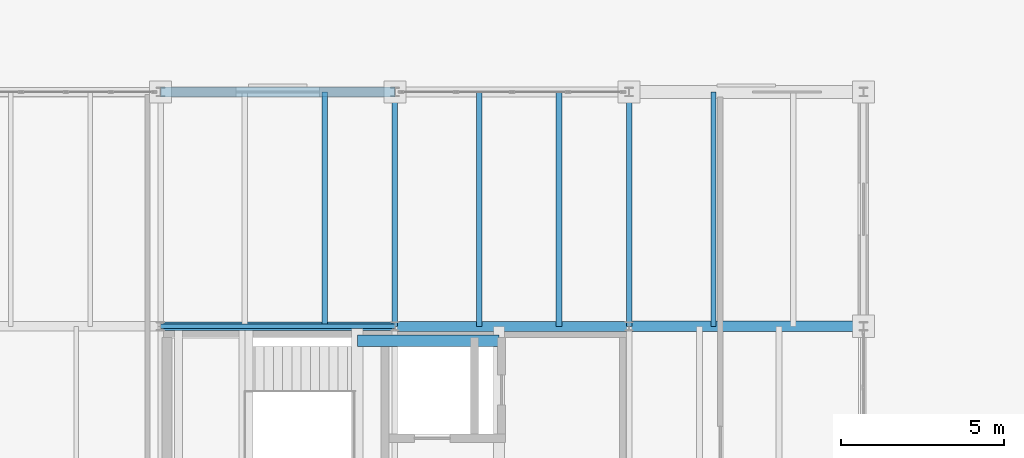
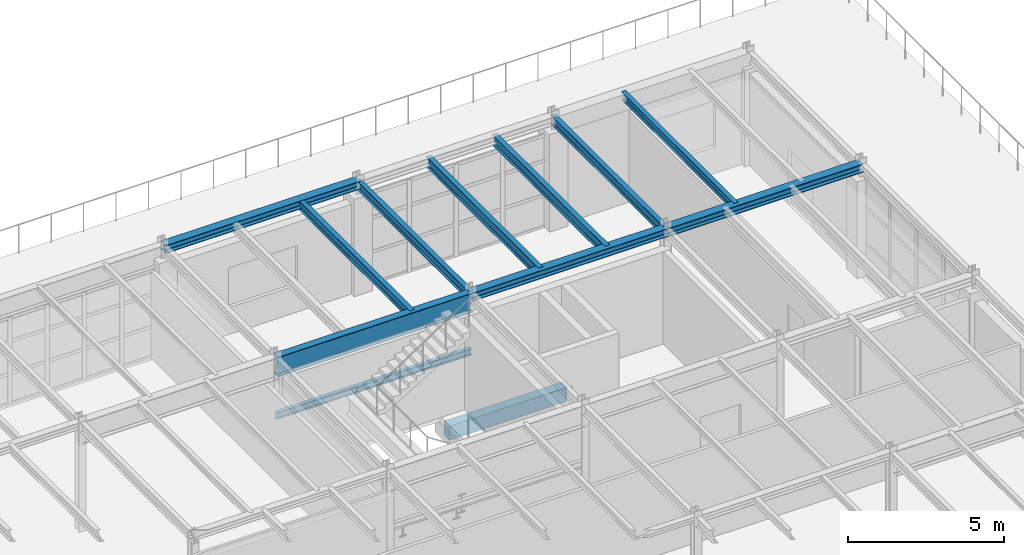
# One storey, part 75 of 101: 12 beams.
"""IFC4 building model written with IfcOpenShell, lengths in metres."""

from ifc_helpers import new_model, si_unit, direction, frame, origin, origin_2d, place, context, subcontext, project, spatial, rectangle, i_section, extrude, material, material_profile, profile_set, type_object, element, save


model = new_model("IFC4")

# Units and contexts
model_context = context("Model", 3, precision=1e-05, world=origin(), true_north=direction((0.0, 1.0)))
body_context = subcontext(model_context, "Body", "Model", "MODEL_VIEW")
ifc_project = project(units=[si_unit("LENGTHUNIT", "METRE"), si_unit("AREAUNIT", "SQUARE_METRE"), si_unit("VOLUMEUNIT", "CUBIC_METRE"), si_unit("PLANEANGLEUNIT", "RADIAN"), si_unit("MASSUNIT", "GRAM", prefix="KILO")], contexts=[model_context])

# Site, building, storey
site_placement = place(None, origin())
site = spatial("IfcSite", under=ifc_project, at=site_placement, CompositionType="ELEMENT")
building_placement = place(site_placement, origin())
building = spatial("IfcBuilding", under=site, at=building_placement, Name="Kemerveld Promenade Tramway Depot", CompositionType="ELEMENT")
storey_placement = place(building_placement, frame((0.0, 0.0, 9.89990234375)))
storey = spatial("IfcBuildingStorey", under=building, at=storey_placement, Name="L02", CompositionType="ELEMENT", Elevation=9.89990234375)

# Beams
ifc_material_1 = material(Name="Steel S355", Category="steel")
ifc_material_profile_1 = material_profile(ifc_material_1, i_section(OverallWidth=0.2666015625, OverallDepth=0.76220703125, WebThickness=0.014404296875, FlangeThickness=0.021484375, FilletRadius=0.0166015625, at=origin_2d()), Name="762x267x173 UB")
ifc_profile_set_1 = profile_set([ifc_material_profile_1], Name="Steel S355")
beam_type_1 = type_object("IfcBeamType", Name="BM-G02", PredefinedType="BEAM", material=ifc_profile_set_1)
beam_1_placement = place(storey_placement, frame((28.800048828125, 64.800048828125, 3.89892578125), z_axis=(1.0, 0.0, 0.0), x_axis=(0.0, 1.0, 0.0)))
element("IfcBeam", 1, at=beam_1_placement, inside=storey, type_object=beam_type_1, Name="BMX-L02-05-06-K", PredefinedType="BEAM", context=body_context, shape_type="SweptSolid", body=[
    extrude(i_section(OverallWidth=0.2666015625, OverallDepth=0.76220703125, WebThickness=0.014404296875, FlangeThickness=0.021484375, FilletRadius=0.0166015625, at=origin_2d()), origin(), (0.0, 0.0, 1.0), 7.199951171875),
])
ifc_material_profile_2 = material_profile(ifc_material_1, i_section(OverallWidth=0.172119140625, OverallDepth=0.35791015625, WebThickness=0.008056640625, FlangeThickness=0.012939453125, FilletRadius=0.01025390625, at=origin_2d()), Name="356x171x57 UB")
ifc_profile_set_2 = profile_set([ifc_material_profile_2], Name="Steel S355")
beam_type_2 = type_object("IfcBeamType", Name="BM-G08", PredefinedType="BEAM", material=ifc_profile_set_2)
for number, where, z_axis, x_axis, name in (
    (2, (36.0, 64.800048828125, 4.10107421875), (0.0, 1.0, 0.0), (-1.0, 0.0, 0.0), "BMY-L02-06-K-L"),
    (3, (43.199951171875, 64.800048828125, 4.10107421875), (0.0, 1.0, 0.0), (-1.0, 0.0, 0.0), "BMY-L02-07-K-L"),
):
    element("IfcBeam", number, at=place(storey_placement, frame(where, z_axis=z_axis, x_axis=x_axis)), inside=storey, type_object=beam_type_2, Name=name, PredefinedType="BEAM", context=body_context, shape_type="SweptSolid", body=[
        extrude(i_section(OverallWidth=0.172119140625, OverallDepth=0.35791015625, WebThickness=0.008056640625, FlangeThickness=0.012939453125, FilletRadius=0.01025390625, at=origin_2d()), origin(), (0.0, 0.0, 1.0), 7.199951171875),
    ])
ifc_material_profile_3 = material_profile(ifc_material_1, i_section(OverallWidth=0.307373046875, OverallDepth=0.314453125, WebThickness=0.011962890625, FlangeThickness=0.018798828125, FilletRadius=0.01513671875, at=origin_2d()), Name="305x305x118 UC")
ifc_profile_set_3 = profile_set([ifc_material_profile_3], Name="Steel S355")
beam_type_3 = type_object("IfcBeamType", Name="BM-G12", PredefinedType="BEAM", material=ifc_profile_set_3)
for number, where, z_axis, x_axis, name in (
    (4, (36.0, 64.800048828125, 4.122802734375), (1.0, 0.0, 0.0), (0.0, 1.0, 0.0), "BMX-L02-06-07-K"),
    (5, (28.800048828125, 72.0, 4.1279296875), (1.0, 0.0, 0.0), (0.0, 1.0, 0.0), "BMX-L02-05-06-L"),
):
    element("IfcBeam", number, at=place(storey_placement, frame(where, z_axis=z_axis, x_axis=x_axis)), inside=storey, type_object=beam_type_3, Name=name, PredefinedType="BEAM", context=body_context, shape_type="SweptSolid", body=[
        extrude(i_section(OverallWidth=0.307373046875, OverallDepth=0.314453125, WebThickness=0.011962890625, FlangeThickness=0.018798828125, FilletRadius=0.01513671875, at=origin_2d()), origin(), (0.0, 0.0, 1.0), 7.199951171875),
    ])
ifc_material_profile_4 = material_profile(ifc_material_1, i_section(OverallWidth=0.311279296875, OverallDepth=0.3271484375, WebThickness=0.015869140625, FlangeThickness=0.02490234375, FilletRadius=0.01513671875, at=origin_2d()), Name="305x305x158 UC")
ifc_profile_set_4 = profile_set([ifc_material_profile_4], Name="Steel S355")
beam_type_4 = type_object("IfcBeamType", Name="BM-G13", PredefinedType="BEAM", material=ifc_profile_set_4)
beam_2_placement = place(storey_placement, frame((43.199951171875, 64.800048828125, 4.116455078125), z_axis=(1.0, 0.0, 0.0), x_axis=(0.0, 1.0, 0.0)))
element("IfcBeam", 6, at=beam_2_placement, inside=storey, type_object=beam_type_4, Name="BMX-L02-07-08-K", PredefinedType="BEAM", context=body_context, shape_type="SweptSolid", body=[
    extrude(i_section(OverallWidth=0.311279296875, OverallDepth=0.3271484375, WebThickness=0.015869140625, FlangeThickness=0.02490234375, FilletRadius=0.01513671875, at=origin_2d()), origin(), (0.0, 0.0, 1.0), 7.199951171875),
])
ifc_material_profile_5 = material_profile(ifc_material_1, i_section(OverallWidth=0.165771484375, OverallDepth=0.306640625, WebThickness=0.006591796875, FlangeThickness=0.01171875, FilletRadius=0.0087890625, at=origin_2d()), Name="305x165x46 UB")
ifc_profile_set_5 = profile_set([ifc_material_profile_5], Name="Steel S355")
beam_type_5 = type_object("IfcBeamType", Name="BM-J01", PredefinedType="JOIST", material=ifc_profile_set_5)
beam_3_placement = place(storey_placement, frame((45.7919921875, 64.800048828125, 4.1318359375), z_axis=(0.0, 1.0, 0.0), x_axis=(-1.0, 0.0, 0.0)))
element("IfcBeam", 7, at=beam_3_placement, inside=storey, type_object=beam_type_5, Name="JST-L02-07-K-1", PredefinedType="JOIST", context=body_context, shape_type="SweptSolid", body=[
    extrude(i_section(OverallWidth=0.165771484375, OverallDepth=0.306640625, WebThickness=0.006591796875, FlangeThickness=0.01171875, FilletRadius=0.0087890625, at=origin_2d()), origin(), (0.0, 0.0, 1.0), 7.199951171875),
])
ifc_material_profile_6 = material_profile(ifc_material_1, i_section(OverallWidth=0.146484375, OverallDepth=0.256103515625, WebThickness=0.00634765625, FlangeThickness=0.010986328125, FilletRadius=0.007568359375, at=origin_2d()), Name="254x146x37 UB")
ifc_profile_set_6 = profile_set([ifc_material_profile_6], Name="Steel S355")
beam_type_6 = type_object("IfcBeamType", Name="BM-J02", PredefinedType="JOIST", material=ifc_profile_set_6)
beam_4_placement = place(storey_placement, frame((28.800048828125, 64.800048828125, 1.942138671875), z_axis=(1.0, 0.0, 0.0), x_axis=(0.0, 1.0, 0.0)))
element("IfcBeam", 8, at=beam_4_placement, inside=storey, type_object=beam_type_6, Name="BM-HLY-ST-03-L02-N", PredefinedType="JOIST", context=body_context, shape_type="SweptSolid", body=[
    extrude(i_section(OverallWidth=0.146484375, OverallDepth=0.256103515625, WebThickness=0.00634765625, FlangeThickness=0.010986328125, FilletRadius=0.007568359375, at=origin_2d()), origin(), (0.0, 0.0, 1.0), 7.199951171875),
])
ifc_material_profile_7 = material_profile(ifc_material_1, i_section(OverallWidth=0.172119140625, OverallDepth=0.35791015625, WebThickness=0.008056640625, FlangeThickness=0.012939453125, FilletRadius=0.01025390625, at=origin_2d()), Name="356x171x57 UB")
ifc_profile_set_7 = profile_set([ifc_material_profile_7], Name="Steel S355")
beam_type_7 = type_object("IfcBeamType", Name="BM-J04", PredefinedType="JOIST", material=ifc_profile_set_7)
beam_5_placement = place(storey_placement, frame((33.840087890625, 64.800048828125, 4.10107421875), z_axis=(0.0, 1.0, 0.0), x_axis=(-1.0, 0.0, 0.0)))
element("IfcBeam", 9, at=beam_5_placement, inside=storey, type_object=beam_type_7, Name="JST-L02-05-K-2", PredefinedType="JOIST", context=body_context, shape_type="SweptSolid", body=[
    extrude(i_section(OverallWidth=0.172119140625, OverallDepth=0.35791015625, WebThickness=0.008056640625, FlangeThickness=0.012939453125, FilletRadius=0.01025390625, at=origin_2d()), origin(), (0.0, 0.0, 1.0), 7.199951171875),
])
ifc_material_profile_8 = material_profile(ifc_material_1, i_section(OverallWidth=0.1787109375, OverallDepth=0.409423828125, WebThickness=0.0087890625, FlangeThickness=0.014404296875, FilletRadius=0.01025390625, at=origin_2d()), Name="406x178x67 UB")
ifc_profile_set_8 = profile_set([ifc_material_profile_8], Name="Steel S355")
beam_type_8 = type_object("IfcBeamType", Name="BM-J05", PredefinedType="JOIST", material=ifc_profile_set_8)
for number, where, z_axis, x_axis, name in (
    (10, (38.592041015625, 64.800048828125, 4.075439453125), (0.0, 1.0, 0.0), (-1.0, 0.0, 0.0), "JST-L02-06-K-1"),
    (11, (41.0400390625, 64.800048828125, 4.075439453125), (0.0, 1.0, 0.0), (-1.0, 0.0, 0.0), "JST-L02-06-K-2"),
):
    element("IfcBeam", number, at=place(storey_placement, frame(where, z_axis=z_axis, x_axis=x_axis)), inside=storey, type_object=beam_type_8, Name=name, PredefinedType="JOIST", context=body_context, shape_type="SweptSolid", body=[
        extrude(i_section(OverallWidth=0.1787109375, OverallDepth=0.409423828125, WebThickness=0.0087890625, FlangeThickness=0.014404296875, FilletRadius=0.01025390625, at=origin_2d()), origin(), (0.0, 0.0, 1.0), 7.199951171875),
    ])
ifc_material_2 = material(Name="Concrete C40/50", Category="concrete")
ifc_material_profile_9 = material_profile(ifc_material_2, rectangle(XDim=0.35009765625, YDim=0.550048828125, at=origin_2d()), Name="RC-BM-350x550")
ifc_profile_set_9 = profile_set([ifc_material_profile_9], Name="Concrete C40/50")
beam_type_9 = type_object("IfcBeamType", Name="BM-RC3", PredefinedType="BEAM", material=ifc_profile_set_9)
beam_6_placement = place(storey_placement, frame((34.85009765625, 64.35009765625, -0.5048828125), z_axis=(1.0, 0.0, 0.0), x_axis=(0.0, 1.0, 0.0)))
element("IfcBeam", 12, at=beam_6_placement, inside=storey, type_object=beam_type_9, Name="BM-COREX-C3-L02-N", PredefinedType="BEAM", context=body_context, shape_type="SweptSolid", body=[
    extrude(rectangle(XDim=0.35009765625, YDim=0.550048828125, at=origin_2d()), origin(), (0.0, 0.0, 1.0), 4.349853515625),
])

save(model, "model.ifc")
